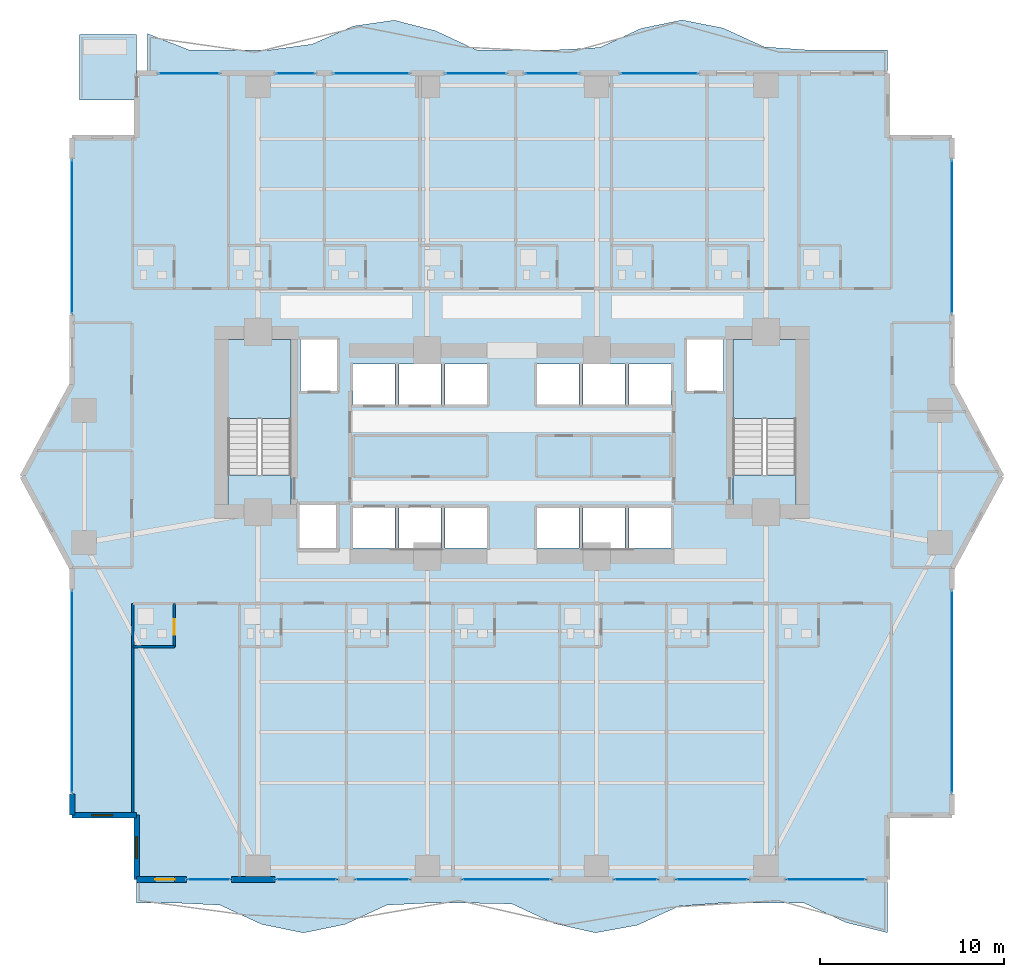
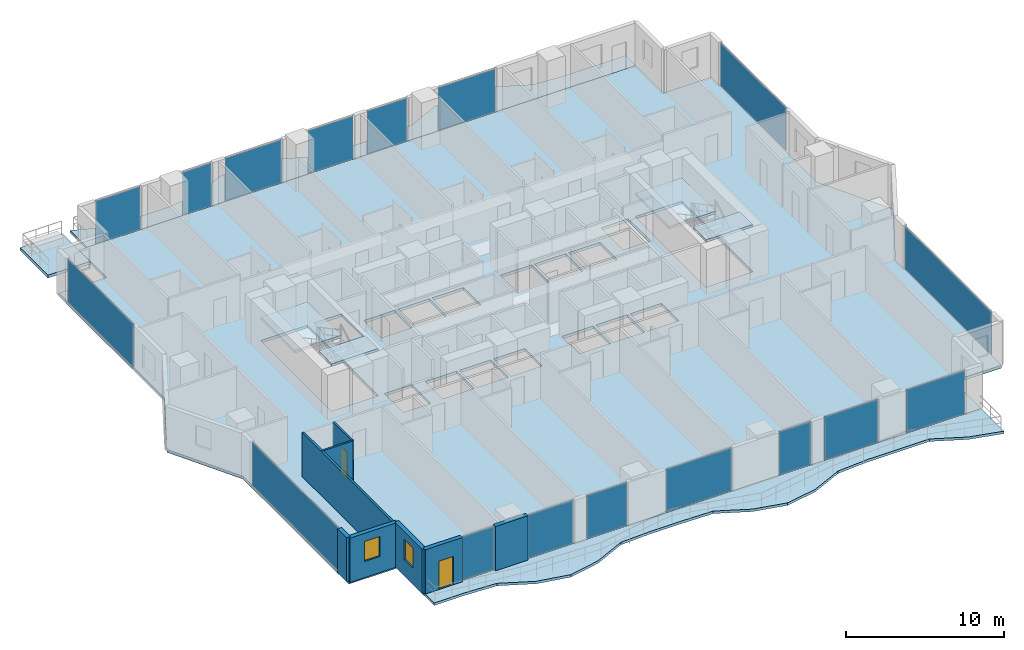
# One storey, part 20 of 29: 17 plates, 8 slabs, 8 walls, 2 doors, 2 windows, 4 openings, 19 elements without a shape of their own.
"""IFC4 building model written with IfcOpenShell, lengths in metres."""

from ifc_helpers import new_model, si_unit, direction, frame, frame_2d, origin, origin_2d, place, context, subcontext, project, spatial, polyline, rectangle, outline, extrude, material, layer, layer_set, type_object, element, fill, aggregate, save


model = new_model("IFC4")

# Units and contexts
model_context = context("Model", 3, precision=1e-05, world=origin(), true_north=direction((0.0, 1.0)))
body_context = subcontext(model_context, "Body", "Model", "MODEL_VIEW")
ifc_project = project(units=[si_unit("LENGTHUNIT", "METRE"), si_unit("AREAUNIT", "SQUARE_METRE"), si_unit("VOLUMEUNIT", "CUBIC_METRE"), si_unit("PLANEANGLEUNIT", "RADIAN"), si_unit("MASSUNIT", "GRAM", prefix="KILO")], contexts=[model_context])

# Site, building, storey
site_placement = place(None, origin())
site = spatial("IfcSite", under=ifc_project, at=site_placement, CompositionType="ELEMENT")
building_placement = place(site_placement, origin())
building = spatial("IfcBuilding", under=site, at=building_placement, Name="Zuhayl Quay Hotel", CompositionType="ELEMENT")
storey_placement = place(building_placement, frame((0.0, 0.0, 150.39990234375)))
storey = spatial("IfcBuildingStorey", under=building, at=storey_placement, Name="L38", CompositionType="ELEMENT", Elevation=150.39990234375)

# Curtain wall, plate
ifc_material_1 = material(Name="Anodised Aluminium 6063-T6", Category="aluminium")
ifc_layer_1 = layer(ifc_material_1, 0.179931640625, Name="Anodised Aluminium 6063-T6", Category="aluminium")
ifc_layer_set_1 = layer_set([ifc_layer_1], Name="Anodised Aluminium 6063-T6")
curtain_wall_type = type_object("IfcCurtainWallType", Name="CW_SYS_Z2", PredefinedType="USERDEFINED", material=ifc_layer_set_1)
curtain_wall_1_placement = place(storey_placement, origin())
curtain_wall_1 = element("IfcCurtainWall", 1, at=curtain_wall_1_placement, inside=storey, type_object=curtain_wall_type, Name="L38 Curtain Wall ENV_L38_E02_CW1", ObjectType="UNITISED CURTAIN WALL", PredefinedType="USERDEFINED")
ifc_material_2 = material(Name="Dark Ceramic-Fritted Solar Glass", Category="glass")
ifc_layer_2 = layer(ifc_material_2, 0.035888671875, Name="Dark Ceramic-Fritted Solar Glass", Category="glass")
ifc_layer_set_2 = layer_set([ifc_layer_2], Name="Dark Ceramic-Fritted Solar Glass")
plate_type = type_object("IfcPlateType", Name="PN_DARK_FRIT_Z1", PredefinedType="CURTAIN_PANEL", material=ifc_layer_set_2)
plate_1_placement = place(storey_placement, frame((-23.89990234375, -5.199951171875, 0.06005859375), z_axis=(0.0, 0.0, 1.0), x_axis=(0.0, 1.0, 0.0)))
plate_1 = element("IfcPlate", 2, at=plate_1_placement, type_object=plate_type, Name="CW-Z2 panel 1.1", PredefinedType="CURTAIN_PANEL", context=body_context, shape_type="SweptSolid", body=[
    extrude(rectangle(XDim=10.969970703125, YDim=0.035888671875, at=origin_2d()), origin(), (0.0, 0.0, 1.0), 3.31005859375),
])
aggregate(curtain_wall_1, [plate_1])

curtain_wall_2_placement = place(storey_placement, origin())
curtain_wall_2 = element("IfcCurtainWall", 3, at=curtain_wall_2_placement, inside=storey, type_object=curtain_wall_type, Name="L38 Curtain Wall ENV_L38_E05_CW1", ObjectType="UNITISED CURTAIN WALL", PredefinedType="USERDEFINED")
plate_2_placement = place(storey_placement, frame((-23.89990234375, 19.52490234375, 0.06005859375), z_axis=(0.0, 0.0, 1.0), x_axis=(0.0, 1.0, 0.0)))
plate_2 = element("IfcPlate", 4, at=plate_2_placement, type_object=plate_type, Name="CW-Z2 panel 1.1", PredefinedType="CURTAIN_PANEL", context=body_context, shape_type="SweptSolid", body=[
    extrude(rectangle(XDim=8.320068359375, YDim=0.035888671875, at=origin_2d()), origin(), (0.0, 0.0, 1.0), 3.31005859375),
])
aggregate(curtain_wall_2, [plate_2])

curtain_wall_3_placement = place(storey_placement, origin())
curtain_wall_3 = element("IfcCurtainWall", 5, at=curtain_wall_3_placement, inside=storey, type_object=curtain_wall_type, Name="L38 Curtain Wall ENV_L38_N_CW1", ObjectType="UNITISED CURTAIN WALL", PredefinedType="USERDEFINED")
plate_3_placement = place(storey_placement, frame((-17.550048828125, 28.39990234375, 0.06005859375), z_axis=(0.0, 0.0, 1.0), x_axis=(1.0, 0.0, 0.0)))
plate_3 = element("IfcPlate", 6, at=plate_3_placement, type_object=plate_type, Name="CW-Z2 panel 1.1", PredefinedType="CURTAIN_PANEL", context=body_context, shape_type="SweptSolid", body=[
    extrude(rectangle(XDim=3.27001953125, YDim=0.035888671875, at=origin_2d()), origin(), (0.0, 0.0, 1.0), 3.31005859375),
])
aggregate(curtain_wall_3, [plate_3])

curtain_wall_4_placement = place(storey_placement, origin())
curtain_wall_4 = element("IfcCurtainWall", 7, at=curtain_wall_4_placement, inside=storey, type_object=curtain_wall_type, Name="L38 Curtain Wall ENV_L38_N_CW2", ObjectType="UNITISED CURTAIN WALL", PredefinedType="USERDEFINED")
plate_4_placement = place(storey_placement, frame((-11.764892578125, 28.39990234375, 0.06005859375), z_axis=(0.0, 0.0, 1.0), x_axis=(1.0, 0.0, 0.0)))
plate_4 = element("IfcPlate", 8, at=plate_4_placement, type_object=plate_type, Name="CW-Z2 panel 1.1", PredefinedType="CURTAIN_PANEL", context=body_context, shape_type="SweptSolid", body=[
    extrude(rectangle(XDim=2.10009765625, YDim=0.035888671875, at=origin_2d()), origin(), (0.0, 0.0, 1.0), 3.31005859375),
])
aggregate(curtain_wall_4, [plate_4])

curtain_wall_5_placement = place(storey_placement, origin())
curtain_wall_5 = element("IfcCurtainWall", 9, at=curtain_wall_5_placement, inside=storey, type_object=curtain_wall_type, Name="L38 Curtain Wall ENV_L38_N_CW3", ObjectType="UNITISED CURTAIN WALL", PredefinedType="USERDEFINED")
plate_5_placement = place(storey_placement, frame((-7.635009765625, 28.39990234375, 0.06005859375), z_axis=(0.0, 0.0, 1.0), x_axis=(1.0, 0.0, 0.0)))
plate_5 = element("IfcPlate", 10, at=plate_5_placement, type_object=plate_type, Name="CW-Z2 panel 1.1", PredefinedType="CURTAIN_PANEL", context=body_context, shape_type="SweptSolid", body=[
    extrude(rectangle(XDim=4.10009765625, YDim=0.035888671875, at=origin_2d()), origin(), (0.0, 0.0, 1.0), 3.31005859375),
])
aggregate(curtain_wall_5, [plate_5])

curtain_wall_6_placement = place(storey_placement, origin())
curtain_wall_6 = element("IfcCurtainWall", 11, at=curtain_wall_6_placement, inside=storey, type_object=curtain_wall_type, Name="L38 Curtain Wall ENV_L38_N_CW4", ObjectType="UNITISED CURTAIN WALL", PredefinedType="USERDEFINED")
plate_6_placement = place(storey_placement, frame((-1.965087890625, 28.39990234375, 0.06005859375), z_axis=(0.0, 0.0, 1.0), x_axis=(1.0, 0.0, 0.0)))
plate_6 = element("IfcPlate", 12, at=plate_6_placement, type_object=plate_type, Name="CW-Z2 panel 1.1", PredefinedType="CURTAIN_PANEL", context=body_context, shape_type="SweptSolid", body=[
    extrude(rectangle(XDim=3.300048828125, YDim=0.035888671875, at=origin_2d()), origin(), (0.0, 0.0, 1.0), 3.31005859375),
])
aggregate(curtain_wall_6, [plate_6])

curtain_wall_7_placement = place(storey_placement, origin())
curtain_wall_7 = element("IfcCurtainWall", 13, at=curtain_wall_7_placement, inside=storey, type_object=curtain_wall_type, Name="L38 Curtain Wall ENV_L38_N_CW5", ObjectType="UNITISED CURTAIN WALL", PredefinedType="USERDEFINED")
plate_7_placement = place(storey_placement, frame((2.1650390625, 28.39990234375, 0.06005859375), z_axis=(0.0, 0.0, 1.0), x_axis=(1.0, 0.0, 0.0)))
plate_7 = element("IfcPlate", 14, at=plate_7_placement, type_object=plate_type, Name="CW-Z2 panel 1.1", PredefinedType="CURTAIN_PANEL", context=body_context, shape_type="SweptSolid", body=[
    extrude(rectangle(XDim=2.89990234375, YDim=0.035888671875, at=origin_2d()), origin(), (0.0, 0.0, 1.0), 3.31005859375),
])
aggregate(curtain_wall_7, [plate_7])

curtain_wall_8_placement = place(storey_placement, origin())
curtain_wall_8 = element("IfcCurtainWall", 15, at=curtain_wall_8_placement, inside=storey, type_object=curtain_wall_type, Name="L38 Curtain Wall ENV_L38_N_CW6", ObjectType="UNITISED CURTAIN WALL", PredefinedType="USERDEFINED")
plate_8_placement = place(storey_placement, frame((8.0, 28.39990234375, 0.06005859375), z_axis=(0.0, 0.0, 1.0), x_axis=(1.0, 0.0, 0.0)))
plate_8 = element("IfcPlate", 16, at=plate_8_placement, type_object=plate_type, Name="CW-Z2 panel 1.1", PredefinedType="CURTAIN_PANEL", context=body_context, shape_type="SweptSolid", body=[
    extrude(rectangle(XDim=4.169921875, YDim=0.035888671875, at=origin_2d()), origin(), (0.0, 0.0, 1.0), 3.31005859375),
])
aggregate(curtain_wall_8, [plate_8])

curtain_wall_9_placement = place(storey_placement, origin())
curtain_wall_9 = element("IfcCurtainWall", 17, at=curtain_wall_9_placement, inside=storey, type_object=curtain_wall_type, Name="L38 Curtain Wall ENV_L38_E11_CW1", ObjectType="UNITISED CURTAIN WALL", PredefinedType="USERDEFINED")
plate_9_placement = place(storey_placement, frame((23.89990234375, 19.52490234375, 0.06005859375), z_axis=(0.0, 0.0, 1.0), x_axis=(0.0, -1.0, 0.0)))
plate_9 = element("IfcPlate", 18, at=plate_9_placement, type_object=plate_type, Name="CW-Z2 panel 1.1", PredefinedType="CURTAIN_PANEL", context=body_context, shape_type="SweptSolid", body=[
    extrude(rectangle(XDim=8.320068359375, YDim=0.035888671875, at=origin_2d()), origin(), (0.0, 0.0, 1.0), 3.31005859375),
])
aggregate(curtain_wall_9, [plate_9])

curtain_wall_10_placement = place(storey_placement, origin())
curtain_wall_10 = element("IfcCurtainWall", 19, at=curtain_wall_10_placement, inside=storey, type_object=curtain_wall_type, Name="L38 Curtain Wall ENV_L38_E14_CW1", ObjectType="UNITISED CURTAIN WALL", PredefinedType="USERDEFINED")
plate_10_placement = place(storey_placement, frame((23.89990234375, -5.199951171875, 0.06005859375), z_axis=(0.0, 0.0, 1.0), x_axis=(0.0, -1.0, 0.0)))
plate_10 = element("IfcPlate", 20, at=plate_10_placement, type_object=plate_type, Name="CW-Z2 panel 1.1", PredefinedType="CURTAIN_PANEL", context=body_context, shape_type="SweptSolid", body=[
    extrude(rectangle(XDim=10.969970703125, YDim=0.035888671875, at=origin_2d()), origin(), (0.0, 0.0, 1.0), 3.31005859375),
])
aggregate(curtain_wall_10, [plate_10])

curtain_wall_11_placement = place(storey_placement, origin())
curtain_wall_11 = element("IfcCurtainWall", 21, at=curtain_wall_11_placement, inside=storey, type_object=curtain_wall_type, Name="L38 Curtain Wall ENV_L38_S_CW1", ObjectType="UNITISED CURTAIN WALL", PredefinedType="USERDEFINED")
plate_11_placement = place(storey_placement, frame((17.050048828125, -15.39990234375, 0.06005859375), z_axis=(0.0, 0.0, 1.0), x_axis=(-1.0, 0.0, 0.0)))
plate_11 = element("IfcPlate", 22, at=plate_11_placement, type_object=plate_type, Name="CW-Z2 panel 1.1", PredefinedType="CURTAIN_PANEL", context=body_context, shape_type="SweptSolid", body=[
    extrude(rectangle(XDim=4.27001953125, YDim=0.035888671875, at=origin_2d()), origin(), (0.0, 0.0, 1.0), 3.31005859375),
])
aggregate(curtain_wall_11, [plate_11])

curtain_wall_12_placement = place(storey_placement, origin())
curtain_wall_12 = element("IfcCurtainWall", 23, at=curtain_wall_12_placement, inside=storey, type_object=curtain_wall_type, Name="L38 Curtain Wall ENV_L38_S_CW2", ObjectType="UNITISED CURTAIN WALL", PredefinedType="USERDEFINED")
plate_12_placement = place(storey_placement, frame((10.864990234375, -15.39990234375, 0.06005859375), z_axis=(0.0, 0.0, 1.0), x_axis=(-1.0, 0.0, 0.0)))
plate_12 = element("IfcPlate", 24, at=plate_12_placement, type_object=plate_type, Name="CW-Z2 panel 1.1", PredefinedType="CURTAIN_PANEL", context=body_context, shape_type="SweptSolid", body=[
    extrude(rectangle(XDim=3.89990234375, YDim=0.035888671875, at=origin_2d()), origin(), (0.0, 0.0, 1.0), 3.31005859375),
])
aggregate(curtain_wall_12, [plate_12])

curtain_wall_13_placement = place(storey_placement, origin())
curtain_wall_13 = element("IfcCurtainWall", 25, at=curtain_wall_13_placement, inside=storey, type_object=curtain_wall_type, Name="L38 Curtain Wall ENV_L38_S_CW3", ObjectType="UNITISED CURTAIN WALL", PredefinedType="USERDEFINED")
plate_13_placement = place(storey_placement, frame((6.735107421875, -15.39990234375, 0.06005859375), z_axis=(0.0, 0.0, 1.0), x_axis=(-1.0, 0.0, 0.0)))
plate_13 = element("IfcPlate", 26, at=plate_13_placement, type_object=plate_type, Name="CW-Z2 panel 1.1", PredefinedType="CURTAIN_PANEL", context=body_context, shape_type="SweptSolid", body=[
    extrude(rectangle(XDim=2.300048828125, YDim=0.035888671875, at=origin_2d()), origin(), (0.0, 0.0, 1.0), 3.31005859375),
])
aggregate(curtain_wall_13, [plate_13])

curtain_wall_14_placement = place(storey_placement, origin())
curtain_wall_14 = element("IfcCurtainWall", 27, at=curtain_wall_14_placement, inside=storey, type_object=curtain_wall_type, Name="L38 Curtain Wall ENV_L38_S_CW4", ObjectType="UNITISED CURTAIN WALL", PredefinedType="USERDEFINED")
plate_14_placement = place(storey_placement, frame((-0.300048828125, -15.39990234375, 0.06005859375), z_axis=(0.0, 0.0, 1.0), x_axis=(-1.0, 0.0, 0.0)))
plate_14 = element("IfcPlate", 28, at=plate_14_placement, type_object=plate_type, Name="CW-Z2 panel 1.1", PredefinedType="CURTAIN_PANEL", context=body_context, shape_type="SweptSolid", body=[
    extrude(rectangle(XDim=4.77001953125, YDim=0.035888671875, at=origin_2d()), origin(), (0.0, 0.0, 1.0), 3.31005859375),
])
aggregate(curtain_wall_14, [plate_14])

curtain_wall_15_placement = place(storey_placement, origin())
curtain_wall_15 = element("IfcCurtainWall", 29, at=curtain_wall_15_placement, inside=storey, type_object=curtain_wall_type, Name="L38 Curtain Wall ENV_L38_S_CW5", ObjectType="UNITISED CURTAIN WALL", PredefinedType="USERDEFINED")
plate_15_placement = place(storey_placement, frame((-7.034912109375, -15.39990234375, 0.06005859375), z_axis=(0.0, 0.0, 1.0), x_axis=(-1.0, 0.0, 0.0)))
plate_15 = element("IfcPlate", 30, at=plate_15_placement, type_object=plate_type, Name="CW-Z2 panel 1.1", PredefinedType="CURTAIN_PANEL", context=body_context, shape_type="SweptSolid", body=[
    extrude(rectangle(XDim=2.89990234375, YDim=0.035888671875, at=origin_2d()), origin(), (0.0, 0.0, 1.0), 3.31005859375),
])
aggregate(curtain_wall_15, [plate_15])

curtain_wall_16_placement = place(storey_placement, origin())
curtain_wall_16 = element("IfcCurtainWall", 31, at=curtain_wall_16_placement, inside=storey, type_object=curtain_wall_type, Name="L38 Curtain Wall ENV_L38_S_CW6", ObjectType="UNITISED CURTAIN WALL", PredefinedType="USERDEFINED")
plate_16_placement = place(storey_placement, frame((-11.1650390625, -15.39990234375, 0.06005859375), z_axis=(0.0, 0.0, 1.0), x_axis=(-1.0, 0.0, 0.0)))
plate_16 = element("IfcPlate", 32, at=plate_16_placement, type_object=plate_type, Name="CW-Z2 panel 1.1", PredefinedType="CURTAIN_PANEL", context=body_context, shape_type="SweptSolid", body=[
    extrude(rectangle(XDim=3.300048828125, YDim=0.035888671875, at=origin_2d()), origin(), (0.0, 0.0, 1.0), 3.31005859375),
])
aggregate(curtain_wall_16, [plate_16])

curtain_wall_17_placement = place(storey_placement, origin())
curtain_wall_17 = element("IfcCurtainWall", 33, at=curtain_wall_17_placement, inside=storey, type_object=curtain_wall_type, Name="L38 Curtain Wall ENV_L38_S_CW7", ObjectType="UNITISED CURTAIN WALL", PredefinedType="USERDEFINED")
plate_17_placement = place(storey_placement, frame((-16.467529296875, -15.39990234375, 0.06005859375), z_axis=(0.0, 0.0, 1.0), x_axis=(-1.0, 0.0, 0.0)))
plate_17 = element("IfcPlate", 34, at=plate_17_placement, type_object=plate_type, Name="CW-Z2 panel 1.1", PredefinedType="CURTAIN_PANEL", context=body_context, shape_type="SweptSolid", body=[
    extrude(rectangle(XDim=2.304931640625, YDim=0.035888671875, at=origin_2d()), origin(), (0.0, 0.0, 1.0), 3.31005859375),
])
aggregate(curtain_wall_17, [plate_17])

# Slabs
ifc_material_3 = material(Name="Concrete C45/55", Category="concrete")
ifc_layer_3 = layer(ifc_material_3, 0.195068359375, Name="Concrete C45/55", Category="concrete")
ifc_layer_set_3 = layer_set([ifc_layer_3], Name="Concrete C45/55")
slab_type_1 = type_object("IfcSlabType", Name="SL_BALCONY_195", PredefinedType="FLOOR", material=ifc_layer_set_3)
slab_1_placement = place(storey_placement, frame((0.0, 0.0, -0.19482421875)))
element("IfcSlab", 35, at=slab_1_placement, inside=storey, type_object=slab_type_1, Name="L38 Exterior Rippling Balcony Slab North", PredefinedType="FLOOR", context=body_context, shape_type="SweptSolid", body=[
    extrude(outline(polyline([(-19.800048828125, 28.39990234375), (20.39990234375, 28.39990234375), (20.39990234375, 29.679931640625), (18.166748046875, 29.679931640625), (15.933349609375, 29.679931640625), (13.699951171875, 29.83837890625), (11.466796875, 30.86181640625), (9.2333984375, 31.2998046875), (7.0, 30.836669921875), (4.7666015625, 29.80615234375), (2.533203125, 29.679931640625), (0.300048828125, 29.679931640625), (-1.933349609375, 29.679931640625), (-4.166748046875, 30.717041015625), (-6.39990234375, 31.289306640625), (-8.63330078125, 30.968017578125), (-10.86669921875, 29.984619140625), (-13.10009765625, 29.679931640625), (-15.333251953125, 29.679931640625), (-17.566650390625, 29.679931640625), (-19.800048828125, 30.558349609375), (-19.800048828125, 28.39990234375)])), origin(), (0.0, 0.0, 1.0), 0.19482421875),
])
slab_2_placement = place(storey_placement, frame((0.0, 0.0, -0.19482421875)))
element("IfcSlab", 36, at=slab_2_placement, inside=storey, type_object=slab_type_1, Name="L38 Exterior Rippling Balcony Slab South", PredefinedType="FLOOR", context=body_context, shape_type="SweptSolid", body=[
    extrude(outline(polyline([(-20.39990234375, -16.679931640625), (-18.13330078125, -16.679931640625), (-15.86669921875, -16.7900390625), (-13.60009765625, -17.836669921875), (-11.333251953125, -18.300048828125), (-9.066650390625, -17.836669921875), (-6.800048828125, -16.7900390625), (-4.533203125, -16.679931640625), (-2.2666015625, -16.679931640625), (0.0, -16.7265625), (2.2666015625, -17.78466796875), (4.533203125, -18.29833984375), (6.800048828125, -17.886474609375), (9.066650390625, -16.8544921875), (11.333251953125, -16.679931640625), (13.60009765625, -16.679931640625), (15.86669921875, -16.679931640625), (18.13330078125, -17.730712890625), (20.39990234375, -18.293212890625), (20.39990234375, -15.39990234375), (-20.39990234375, -15.39990234375), (-20.39990234375, -16.679931640625)])), origin(), (0.0, 0.0, 1.0), 0.19482421875),
])
ifc_layer_4 = layer(ifc_material_3, 0.219970703125, Name="Concrete C45/55", Category="concrete")
ifc_layer_set_4 = layer_set([ifc_layer_4], Name="Concrete C45/55")
slab_type_2 = type_object("IfcSlabType", Name="SL_FLOOR_220", PredefinedType="FLOOR", material=ifc_layer_set_4)
slab_3_placement = place(storey_placement, frame((0.0, 0.0, -0.219970703125)))
element("IfcSlab", 37, at=slab_3_placement, inside=storey, type_object=slab_type_2, Name="L38 Structural Floor Slab", PredefinedType="FLOOR", context=body_context, shape_type="SweptSolid", body=[
    extrude(outline(polyline([(-20.39990234375, -15.39990234375), (20.39990234375, -15.39990234375), (20.39990234375, -11.89990234375), (23.89990234375, -11.89990234375), (23.89990234375, 1.5), (26.60009765625, 6.5), (23.89990234375, 11.5), (23.89990234375, 24.89990234375), (20.39990234375, 24.89990234375), (20.39990234375, 28.39990234375), (-20.39990234375, 28.39990234375), (-20.39990234375, 24.89990234375), (-23.89990234375, 24.89990234375), (-23.89990234375, 11.5), (-26.60009765625, 6.5), (-23.89990234375, 1.5), (-23.89990234375, -11.89990234375), (-20.39990234375, -11.89990234375), (-20.39990234375, -15.39990234375)]), holes=[polyline([(-12.0, 4.949951171875), (-12.0, 13.949951171875), (-15.429931640625, 13.949951171875), (-15.429931640625, 4.949951171875), (-12.0, 4.949951171875)]), polyline([(15.429931640625, 4.949951171875), (15.429931640625, 13.949951171875), (12.0, 13.949951171875), (12.0, 4.949951171875), (15.429931640625, 4.949951171875)]), polyline([(-11.5, 11.14990234375), (-9.5, 11.14990234375), (-9.5, 13.949951171875), (-11.5, 13.949951171875), (-11.5, 11.14990234375)]), polyline([(9.5, 11.14990234375), (11.5, 11.14990234375), (11.5, 13.949951171875), (9.5, 13.949951171875), (9.5, 11.14990234375)]), polyline([(-8.64990234375, 2.60009765625), (-6.35009765625, 2.60009765625), (-6.35009765625, 4.800048828125), (-8.64990234375, 4.800048828125), (-8.64990234375, 2.60009765625)]), polyline([(-6.14990234375, 2.60009765625), (-3.85009765625, 2.60009765625), (-3.85009765625, 4.800048828125), (-6.14990234375, 4.800048828125), (-6.14990234375, 2.60009765625)]), polyline([(-8.64990234375, 10.39990234375), (-6.35009765625, 10.39990234375), (-6.35009765625, 12.60009765625), (-8.64990234375, 12.60009765625), (-8.64990234375, 10.39990234375)]), polyline([(-6.14990234375, 10.39990234375), (-3.85009765625, 10.39990234375), (-3.85009765625, 12.60009765625), (-6.14990234375, 12.60009765625), (-6.14990234375, 10.39990234375)]), polyline([(-3.64990234375, 2.60009765625), (-1.35009765625, 2.60009765625), (-1.35009765625, 4.800048828125), (-3.64990234375, 4.800048828125), (-3.64990234375, 2.60009765625)]), polyline([(1.35009765625, 2.60009765625), (3.64990234375, 2.60009765625), (3.64990234375, 4.800048828125), (1.35009765625, 4.800048828125), (1.35009765625, 2.60009765625)]), polyline([(-3.64990234375, 10.39990234375), (-1.35009765625, 10.39990234375), (-1.35009765625, 12.60009765625), (-3.64990234375, 12.60009765625), (-3.64990234375, 10.39990234375)]), polyline([(1.35009765625, 10.39990234375), (3.64990234375, 10.39990234375), (3.64990234375, 12.60009765625), (1.35009765625, 12.60009765625), (1.35009765625, 10.39990234375)]), polyline([(3.85009765625, 2.60009765625), (6.14990234375, 2.60009765625), (6.14990234375, 4.800048828125), (3.85009765625, 4.800048828125), (3.85009765625, 2.60009765625)]), polyline([(6.35009765625, 2.60009765625), (8.64990234375, 2.60009765625), (8.64990234375, 4.800048828125), (6.35009765625, 4.800048828125), (6.35009765625, 2.60009765625)]), polyline([(3.85009765625, 10.39990234375), (6.14990234375, 10.39990234375), (6.14990234375, 12.60009765625), (3.85009765625, 12.60009765625), (3.85009765625, 10.39990234375)]), polyline([(6.35009765625, 10.39990234375), (8.64990234375, 10.39990234375), (8.64990234375, 12.60009765625), (6.35009765625, 12.60009765625), (6.35009765625, 10.39990234375)]), polyline([(-11.550048828125, 2.550048828125), (-9.550048828125, 2.550048828125), (-9.550048828125, 4.949951171875), (-11.550048828125, 4.949951171875), (-11.550048828125, 2.550048828125)])]), origin(), (0.0, 0.0, 1.0), 0.219970703125),
])

# Stair, slabs
stair_type = type_object("IfcStairType", Name="ST_DOGLEG_TOWER", PredefinedType="HALF_TURN_STAIR", material=ifc_material_3)
stair_1_placement = place(storey_placement, origin())
stair_1 = element("IfcStair", 38, at=stair_1_placement, inside=storey, type_object=stair_type, Name="L38 Smokeproof Exit Stair ST1", PredefinedType="HALF_TURN_STAIR")
ifc_layer_5 = layer(ifc_material_3, 0.199951171875, Name="Concrete C45/55", Category="concrete")
ifc_layer_set_5 = layer_set([ifc_layer_5], Name="Concrete C45/55")
slab_type_3 = type_object("IfcSlabType", Name="SL_STAIR_LANDING_200", PredefinedType="LANDING", material=ifc_layer_set_5)
slab_4_placement = place(storey_placement, frame((0.0, 0.0, 1.625)))
slab_4 = element("IfcSlab", 39, at=slab_4_placement, type_object=slab_type_3, Name="ST1 landing 1", PredefinedType="LANDING", context=body_context, shape_type="SweptSolid", body=[
    extrude(outline(polyline([(-12.0, 9.64990234375), (-12.0, 13.949951171875), (-15.429931640625, 13.949951171875), (-15.429931640625, 9.64990234375), (-12.0, 9.64990234375)])), origin(), (0.0, 0.0, 1.0), 0.2001953125),
])
slab_5_placement = place(storey_placement, frame((0.0, 0.0, 3.4501953125)))
slab_5 = element("IfcSlab", 40, at=slab_5_placement, type_object=slab_type_3, Name="ST1 landing 2", PredefinedType="LANDING", context=body_context, shape_type="SweptSolid", body=[
    extrude(outline(polyline([(-12.0, 4.949951171875), (-12.0, 6.590087890625), (-15.429931640625, 6.590087890625), (-15.429931640625, 4.949951171875), (-12.0, 4.949951171875)])), origin(), (0.0, 0.0, 1.0), 0.199951171875),
])
aggregate(stair_1, [slab_4, slab_5])

stair_2_placement = place(storey_placement, origin())
stair_2 = element("IfcStair", 41, at=stair_2_placement, inside=storey, type_object=stair_type, Name="L38 Smokeproof Exit Stair ST2", PredefinedType="HALF_TURN_STAIR")
slab_6_placement = place(storey_placement, frame((0.0, 0.0, 1.625)))
slab_6 = element("IfcSlab", 42, at=slab_6_placement, type_object=slab_type_3, Name="ST2 landing 1", PredefinedType="LANDING", context=body_context, shape_type="SweptSolid", body=[
    extrude(outline(polyline([(15.429931640625, 9.64990234375), (15.429931640625, 13.949951171875), (12.0, 13.949951171875), (12.0, 9.64990234375), (15.429931640625, 9.64990234375)])), origin(), (0.0, 0.0, 1.0), 0.2001953125),
])
slab_7_placement = place(storey_placement, frame((0.0, 0.0, 3.4501953125)))
slab_7 = element("IfcSlab", 43, at=slab_7_placement, type_object=slab_type_3, Name="ST2 landing 2", PredefinedType="LANDING", context=body_context, shape_type="SweptSolid", body=[
    extrude(outline(polyline([(15.429931640625, 4.949951171875), (15.429931640625, 6.590087890625), (12.0, 6.590087890625), (12.0, 4.949951171875), (15.429931640625, 4.949951171875)])), origin(), (0.0, 0.0, 1.0), 0.199951171875),
])
aggregate(stair_2, [slab_6, slab_7])

# Slab
ifc_layer_6 = layer(ifc_material_3, 0.219970703125, Name="Concrete C45/55", Category="concrete")
ifc_layer_set_6 = layer_set([ifc_layer_6], Name="Concrete C45/55")
slab_type_4 = type_object("IfcSlabType", Name="SL_TERRACE_235", PredefinedType="FLOOR", material=ifc_layer_set_6)
slab_8_placement = place(storey_placement, frame((0.0, 0.0, -0.219970703125)))
element("IfcSlab", 44, at=slab_8_placement, inside=storey, type_object=slab_type_4, Name="L38 Exterior Sky-Terrace Slab L38_SPIRAL_NW", PredefinedType="FLOOR", context=body_context, shape_type="SweptSolid", body=[
    extrude(outline(polyline([(-23.5, 26.949951171875), (-20.39990234375, 26.949951171875), (-20.39990234375, 30.5), (-23.5, 30.5), (-23.5, 26.949951171875)])), origin(), (0.0, 0.0, 1.0), 0.219970703125),
])

# Wall, opening, window
ifc_material_4 = material(Name="Precast concrete C45/55", Category="concrete")
ifc_layer_7 = layer(ifc_material_4, 0.300048828125, Name="Precast concrete C45/55", Category="concrete")
ifc_layer_set_7 = layer_set([ifc_layer_7], Name="Precast concrete C45/55")
wall_type_1 = type_object("IfcWallType", Name="WL_EXT_300", PredefinedType="STANDARD", material=ifc_layer_set_7)
wall_1_placement = place(storey_placement, frame((-20.39990234375, -11.89990234375, 0.0), z_axis=(0.0, 0.0, 1.0), x_axis=(-1.0, 0.0, 0.0)))
wall_1 = element("IfcWall", 45, at=wall_1_placement, inside=storey, type_object=wall_type_1, Name="L38 Exterior Precast Wall ENV_L38_EW01", PredefinedType="STANDARD", context=body_context, shape_type="SweptSolid", body=[
    extrude(rectangle(XDim=3.5, YDim=0.300048828125, at=frame_2d((1.75, 0.0))), origin(), (0.0, 0.0, 1.0), 3.43017578125),
])
opening_1_placement = place(wall_1_placement, frame((1.284912109375, 0.0, 1.25)))
opening_1 = element("IfcOpeningElement", 46, at=opening_1_placement, cuts=wall_1, Name="Opening W01N", PredefinedType="OPENING", context=body_context, shape_type="SweptSolid", body=[
    extrude(rectangle(XDim=1.14990234375, YDim=1.550048828125, at=frame_2d((0.574951171875, 0.77490234375))), frame((0.0, 0.159912109375, 0.0), z_axis=(0.0, -1.0, 0.0), x_axis=(1.0, 0.0, 0.0)), (0.0, 0.0, 1.0), 0.320068359375),
])
window_type = type_object("IfcWindowType", Name="WN_NOTCH_1350", PartitioningType="SINGLE_PANEL", PredefinedType="WINDOW", material=ifc_material_2)
window_1_placement = place(opening_1_placement, origin())
window_1 = element("IfcWindow", 47, at=window_1_placement, inside=storey, type_object=window_type, Name="L38 Corner Notch Window 1", OverallHeight=1.550048828125, OverallWidth=1.14990234375, PartitioningType="SINGLE_PANEL", PredefinedType="WINDOW", context=body_context, shape_type="SweptSolid", body=[
    extrude(rectangle(XDim=1.14990234375, YDim=1.550048828125, at=frame_2d((0.574951171875, 0.77490234375))), frame((0.0, 0.030029296875, 0.0), z_axis=(0.0, -1.0, 0.0), x_axis=(1.0, 0.0, 0.0)), (0.0, 0.0, 1.0), 0.06005859375),
])
fill(opening_1, window_1)

# Walls
wall_2_placement = place(storey_placement, frame((-23.89990234375, -11.89990234375, 0.0), z_axis=(0.0, 0.0, 1.0), x_axis=(0.0, 1.0, 0.0)))
element("IfcWall", 48, at=wall_2_placement, inside=storey, type_object=wall_type_1, Name="L38 Exterior Precast Wall ENV_L38_E02_EW1", PredefinedType="STANDARD", context=body_context, shape_type="SweptSolid", body=[
    extrude(rectangle(XDim=1.14990234375, YDim=0.300048828125, at=frame_2d((0.574951171875, 0.0))), origin(), (0.0, 0.0, 1.0), 3.43017578125),
])
wall_3_placement = place(storey_placement, frame((-12.8798828125, -15.39990234375, 0.0), z_axis=(0.0, 0.0, 1.0), x_axis=(-1.0, 0.0, 0.0)))
element("IfcWall", 49, at=wall_3_placement, inside=storey, type_object=wall_type_1, Name="L38 Exterior Precast Wall ENV_L38_S_EW7", PredefinedType="STANDARD", context=body_context, shape_type="SweptSolid", body=[
    extrude(rectangle(XDim=2.3701171875, YDim=0.300048828125, at=frame_2d((1.18505859375, 0.0))), origin(), (0.0, 0.0, 1.0), 3.43017578125),
])

# Wall, opening, door
wall_4_placement = place(storey_placement, frame((-17.68505859375, -15.39990234375, 0.0), z_axis=(0.0, 0.0, 1.0), x_axis=(-1.0, 0.0, 0.0)))
wall_4 = element("IfcWall", 50, at=wall_4_placement, inside=storey, type_object=wall_type_1, Name="L38 Exterior Precast Wall ENV_L38_S_EW8", PredefinedType="STANDARD", context=body_context, shape_type="SweptSolid", body=[
    extrude(rectangle(XDim=2.71484375, YDim=0.300048828125, at=frame_2d((1.357421875, 0.0))), origin(), (0.0, 0.0, 1.0), 3.43017578125),
])
opening_2_placement = place(wall_4_placement, frame((0.64990234375, 0.0, 0.0)))
opening_2 = element("IfcOpeningElement", 51, at=opening_2_placement, cuts=wall_4, Name="Opening DG1", PredefinedType="OPENING", context=body_context, shape_type="SweptSolid", body=[
    extrude(rectangle(XDim=1.050048828125, YDim=2.199951171875, at=frame_2d((0.52490234375, 1.10009765625))), frame((0.0, 0.159912109375, 0.0), z_axis=(0.0, -1.0, 0.0), x_axis=(1.0, 0.0, 0.0)), (0.0, 0.0, 1.0), 0.320068359375),
])
ifc_material_5 = material(Name="Anodised Aluminium and Dark Solar Glass", Category="aluminium")
door_type_1 = type_object("IfcDoorType", Name="DR_EXT_TERR_1050", OperationType="NOTDEFINED", PredefinedType="DOOR", material=ifc_material_5)
door_1_placement = place(opening_2_placement, origin())
door_1 = element("IfcDoor", 52, at=door_1_placement, inside=storey, type_object=door_type_1, Name="L38 South Rippling Balcony Door", OperationType="SINGLE_SWING_RIGHT", OverallHeight=2.199951171875, OverallWidth=1.050048828125, PredefinedType="DOOR", context=body_context, shape_type="SweptSolid", body=[
    extrude(rectangle(XDim=1.050048828125, YDim=2.199951171875, at=frame_2d((0.52490234375, 1.10009765625))), frame((0.0, 0.02490234375, 0.0), z_axis=(0.0, -1.0, 0.0), x_axis=(1.0, 0.0, 0.0)), (0.0, 0.0, 1.0), 0.050048828125),
])
fill(opening_2, door_1)

# Wall, opening, window
wall_5_placement = place(storey_placement, frame((-20.39990234375, -15.39990234375, 0.0), z_axis=(0.0, 0.0, 1.0), x_axis=(0.0, 1.0, 0.0)))
wall_5 = element("IfcWall", 53, at=wall_5_placement, inside=storey, type_object=wall_type_1, Name="L38 Exterior Precast Wall ENV_L38_EW18", PredefinedType="STANDARD", context=body_context, shape_type="SweptSolid", body=[
    extrude(rectangle(XDim=3.5, YDim=0.300048828125, at=frame_2d((1.75, 0.0))), origin(), (0.0, 0.0, 1.0), 3.43017578125),
])
opening_3_placement = place(wall_5_placement, frame((1.1650390625, 0.0, 1.25)))
opening_3 = element("IfcOpeningElement", 54, at=opening_3_placement, cuts=wall_5, Name="Opening W01N", PredefinedType="OPENING", context=body_context, shape_type="SweptSolid", body=[
    extrude(rectangle(XDim=1.14990234375, YDim=1.550048828125, at=frame_2d((0.574951171875, 0.77490234375))), frame((0.0, 0.159912109375, 0.0), z_axis=(0.0, -1.0, 0.0), x_axis=(1.0, 0.0, 0.0)), (0.0, 0.0, 1.0), 0.320068359375),
])
window_2_placement = place(opening_3_placement, origin())
window_2 = element("IfcWindow", 55, at=window_2_placement, inside=storey, type_object=window_type, Name="L38 Corner Notch Window 18", OverallHeight=1.550048828125, OverallWidth=1.14990234375, PartitioningType="SINGLE_PANEL", PredefinedType="WINDOW", context=body_context, shape_type="SweptSolid", body=[
    extrude(rectangle(XDim=1.14990234375, YDim=1.550048828125, at=frame_2d((0.574951171875, 0.77490234375))), frame((0.0, 0.030029296875, 0.0), z_axis=(0.0, -1.0, 0.0), x_axis=(1.0, 0.0, 0.0)), (0.0, 0.0, 1.0), 0.06005859375),
])
fill(opening_3, window_2)

# Wall
ifc_material_6 = material(Name="Acoustic Gypsum Partition STC-58")
ifc_layer_8 = layer(ifc_material_6, 0.14990234375, Name="Acoustic Gypsum Partition STC-58")
ifc_layer_set_8 = layer_set([ifc_layer_8], Name="Acoustic Gypsum Partition STC-58")
wall_type_2 = type_object("IfcWallType", Name="WL_PART_150", PredefinedType="PARTITIONING", material=ifc_layer_set_8)
wall_6_placement = place(storey_placement, frame((-20.60009765625, -11.89990234375, 0.0), z_axis=(0.0, 0.0, 1.0), x_axis=(0.0, 1.0, 0.0)))
element("IfcWall", 56, at=wall_6_placement, inside=storey, type_object=wall_type_2, Name="L38 Partition IW_L38_SU01_W", PredefinedType="PARTITIONING", context=body_context, shape_type="SweptSolid", body=[
    extrude(rectangle(XDim=11.5, YDim=0.14990234375, at=frame_2d((5.75, 0.0))), origin(), (0.0, 0.0, 1.0), 3.43017578125),
])

# Wall, opening, door
ifc_material_7 = material(Name="Moisture-Resistant Sanitarychase Gypsum")
ifc_layer_9 = layer(ifc_material_7, 0.135009765625, Name="Moisture-Resistant Sanitarychase Gypsum")
ifc_layer_set_9 = layer_set([ifc_layer_9], Name="Moisture-Resistant Sanitarychase Gypsum")
wall_type_3 = type_object("IfcWallType", Name="WL_PART_PLUMB_150", PredefinedType="PLUMBINGWALL", material=ifc_layer_set_9)
wall_7_placement = place(storey_placement, frame((-18.340087890625, -2.760009765625, 0.0), z_axis=(0.0, 0.0, 1.0), x_axis=(0.0, 1.0, 0.0)))
wall_7 = element("IfcWall", 57, at=wall_7_placement, inside=storey, type_object=wall_type_3, Name="L38 Partition IW_L38_SU01_BE", PredefinedType="PLUMBINGWALL", context=body_context, shape_type="SweptSolid", body=[
    extrude(rectangle(XDim=2.360107421875, YDim=0.135009765625, at=frame_2d((1.18017578125, 0.0))), origin(), (0.0, 0.0, 1.0), 3.43017578125),
])
opening_4_placement = place(wall_7_placement, frame((0.64990234375, 0.0, 0.0)))
opening_4 = element("IfcOpeningElement", 58, at=opening_4_placement, cuts=wall_7, Name="Opening D04", PredefinedType="OPENING", context=body_context, shape_type="SweptSolid", body=[
    extrude(rectangle(XDim=0.85009765625, YDim=2.10009765625, at=frame_2d((0.425048828125, 1.050048828125))), frame((0.0, 0.077392578125, 0.0), z_axis=(0.0, -1.0, 0.0), x_axis=(1.0, 0.0, 0.0)), (0.0, 0.0, 1.0), 0.155029296875),
])
ifc_material_8 = material(Name="Moisture-Resistant Walnut Veneer")
door_type_2 = type_object("IfcDoorType", Name="DR_BATH_850", OperationType="NOTDEFINED", PredefinedType="DOOR", material=ifc_material_8)
door_2_placement = place(opening_4_placement, origin())
door_2 = element("IfcDoor", 59, at=door_2_placement, inside=storey, type_object=door_type_2, Name="L38 Premier Twin Junior Suite L38-01 En-Suite Door", OperationType="SINGLE_SWING_LEFT", OverallHeight=2.10009765625, OverallWidth=0.85009765625, PredefinedType="DOOR", context=body_context, shape_type="SweptSolid", body=[
    extrude(rectangle(XDim=0.85009765625, YDim=2.10009765625, at=frame_2d((0.425048828125, 1.050048828125))), frame((0.0, 0.02490234375, 0.0), z_axis=(0.0, -1.0, 0.0), x_axis=(1.0, 0.0, 0.0)), (0.0, 0.0, 1.0), 0.050048828125),
])
fill(opening_4, door_2)

# Wall
wall_8_placement = place(storey_placement, frame((-20.60009765625, -2.760009765625, 0.0), z_axis=(0.0, 0.0, 1.0), x_axis=(1.0, 0.0, 0.0)))
element("IfcWall", 60, at=wall_8_placement, inside=storey, type_object=wall_type_3, Name="L38 Partition IW_L38_SU01_BS", PredefinedType="PLUMBINGWALL", context=body_context, shape_type="SweptSolid", body=[
    extrude(rectangle(XDim=2.260009765625, YDim=0.135009765625, at=frame_2d((1.1298828125, 0.0))), origin(), (0.0, 0.0, 1.0), 3.43017578125),
])

save(model, "model.ifc")
